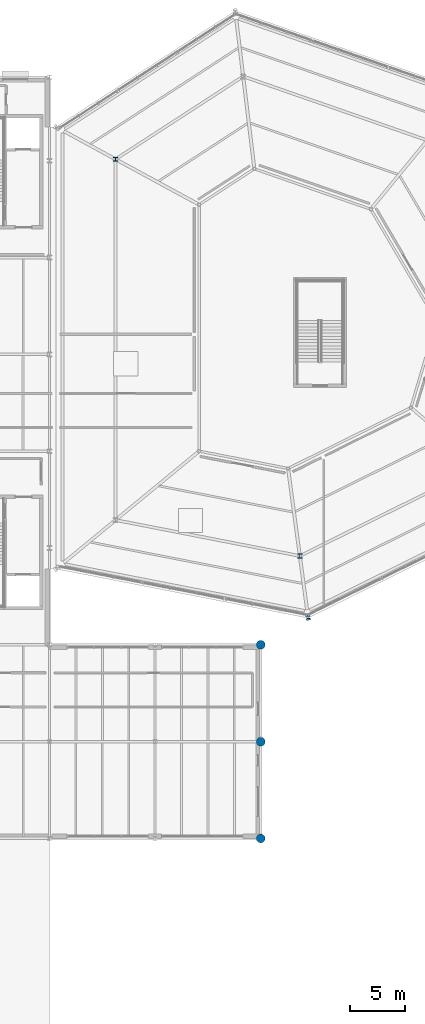
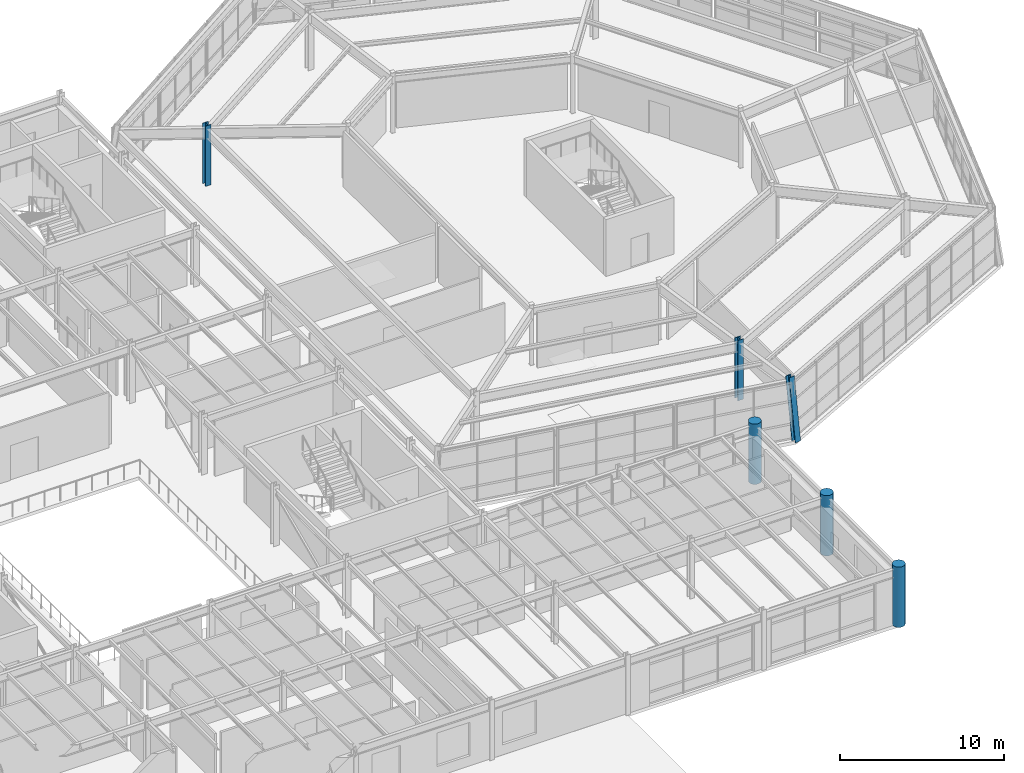
# One storey, part 12 of 88: 6 columns.
"""IFC4 building model written with IfcOpenShell, lengths in metres."""

from ifc_helpers import new_model, si_unit, direction, frame, origin, origin_2d, place, context, subcontext, project, spatial, circle, i_section, extrude, material, material_profile, profile_set, type_object, element, save


model = new_model("IFC4")

# Units and contexts
model_context = context("Model", 3, precision=1e-05, world=origin(), true_north=direction((0.0, 1.0)))
body_context = subcontext(model_context, "Body", "Model", "MODEL_VIEW")
ifc_project = project(units=[si_unit("LENGTHUNIT", "METRE"), si_unit("AREAUNIT", "SQUARE_METRE"), si_unit("VOLUMEUNIT", "CUBIC_METRE"), si_unit("PLANEANGLEUNIT", "RADIAN"), si_unit("MASSUNIT", "GRAM", prefix="KILO")], contexts=[model_context])

# Site, building, storey
site_placement = place(None, origin())
site = spatial("IfcSite", under=ifc_project, at=site_placement, CompositionType="ELEMENT")
building_placement = place(site_placement, origin())
building = spatial("IfcBuilding", under=site, at=building_placement, Name="Sarnbrook Museum", CompositionType="ELEMENT")
storey_placement = place(building_placement, frame((0.0, 0.0, 10.10009765625)))
storey = spatial("IfcBuildingStorey", under=building, at=storey_placement, Name="L02", CompositionType="ELEMENT", Elevation=10.10009765625)

# Columns
ifc_material_1 = material(Name="Concrete N50 (AS 3600, f'c = 50 MPa)", Category="concrete")
ifc_material_profile_1 = material_profile(ifc_material_1, circle(Radius=0.39990234375, at=origin_2d()), Name="DORIC D800")
ifc_profile_set_1 = profile_set([ifc_material_profile_1], Name="Concrete N50 (AS 3600, f'c = 50 MPa)")
column_type_1 = type_object("IfcColumnType", Name="COL-DORIC800", PredefinedType="COLUMN", material=ifc_profile_set_1)
for number, where, z_axis, x_axis, name in (
    (1, (138.39990234375, 39.199951171875, 0.0), (0.0, 0.0, 1.0), (1.0, 0.0, 0.0), "Column 15-E L02"),
    (2, (138.39990234375, 48.0, 0.0), (0.0, 0.0, 1.0), (1.0, 0.0, 0.0), "Column 15-F L02"),
    (3, (138.39990234375, 56.800048828125, 0.0), (0.0, 0.0, 1.0), (1.0, 0.0, 0.0), "Column 15-G L02"),
):
    element("IfcColumn", number, at=place(storey_placement, frame(where, z_axis=z_axis, x_axis=x_axis)), inside=storey, type_object=column_type_1, Name=name, PredefinedType="COLUMN", context=body_context, shape_type="SweptSolid", body=[
        extrude(circle(Radius=0.39990234375, at=origin_2d()), origin(), (0.0, 0.0, 1.0), 4.5),
    ])
ifc_material_2 = material(Name="Structural Steel Grade 350L0 (AS/NZS 3678, fy = 340 MPa for 20 < t <= 40 mm)", Category="steel")
ifc_material_profile_2 = material_profile(ifc_material_2, i_section(OverallWidth=0.39990234375, OverallDepth=0.382080078125, WebThickness=0.02490234375, FlangeThickness=0.035888671875, at=origin_2d()), Name="400WC270")
ifc_profile_set_2 = profile_set([ifc_material_profile_2], Name="Structural Steel Grade 350L0 (AS/NZS 3678, fy = 340 MPa for 20 < t <= 40 mm)")
column_type_2 = type_object("IfcColumnType", Name="COL-WC400", PredefinedType="COLUMN", material=ifc_profile_set_2)
column_placement = place(storey_placement, frame((142.716796875, 59.2197265625, 0.0), z_axis=(-0.018378012299, 0.136437933415, 0.990478136553), x_axis=(-0.991049740954, -0.133493112015, 0.0)))
element("IfcColumn", 4, at=column_placement, inside=storey, type_object=column_type_2, Name="Raking Crystal Rib Column V2 L02", PredefinedType="COLUMN", context=body_context, shape_type="SweptSolid", body=[
    extrude(i_section(OverallWidth=0.39990234375, OverallDepth=0.382080078125, WebThickness=0.02490234375, FlangeThickness=0.035888671875, at=origin_2d()), origin(), (0.0, 0.0, 1.0), 4.543212890625),
])
for number, where, z_axis, x_axis, name in (
    (5, (141.9560546875, 64.87744140625, 0.0), (0.0, 0.0, 1.0), (1.0, 0.0, 0.0), "Crystal Hall Ring Column R1-2 L02"),
    (6, (125.199951171875, 100.940673828125, 0.0), (0.0, 0.0, 1.0), (1.0, 0.0, 0.0), "Crystal Hall Ring Column R1-7 L02"),
):
    element("IfcColumn", number, at=place(storey_placement, frame(where, z_axis=z_axis, x_axis=x_axis)), inside=storey, type_object=column_type_2, Name=name, PredefinedType="COLUMN", context=body_context, shape_type="SweptSolid", body=[
        extrude(i_section(OverallWidth=0.39990234375, OverallDepth=0.382080078125, WebThickness=0.02490234375, FlangeThickness=0.035888671875, at=origin_2d()), origin(), (0.0, 0.0, 1.0), 4.5),
    ])

save(model, "model.ifc")
